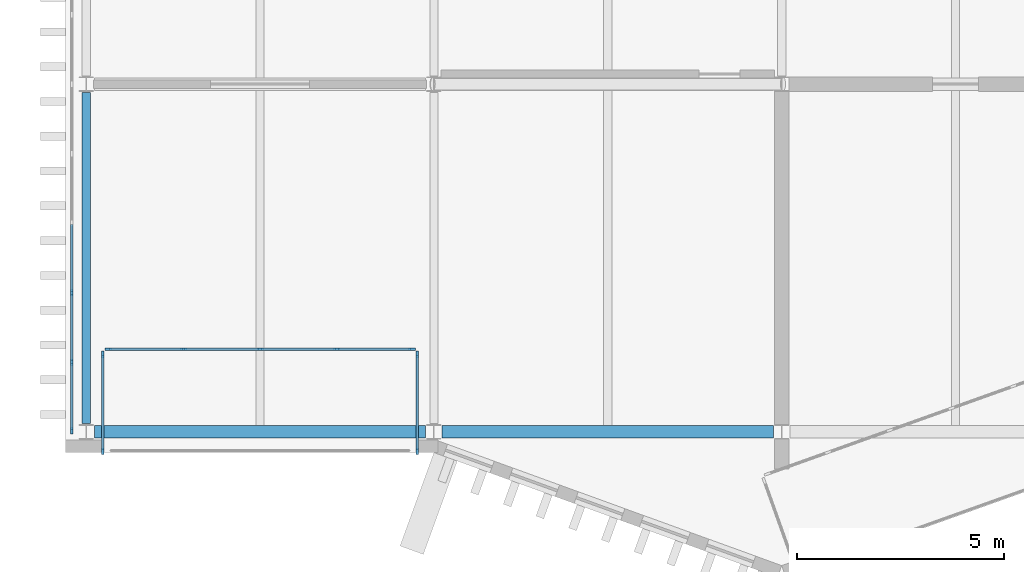
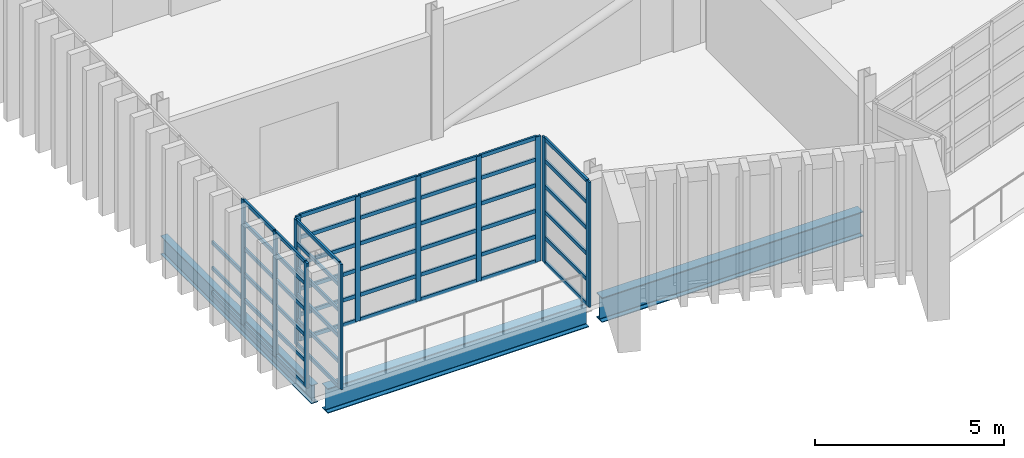
# One storey, part 13 of 96: 63 members, 3 beams, 4 elements without a shape of their own.
"""IFC4 building model written with IfcOpenShell, lengths in metres."""

from ifc_helpers import new_model, si_unit, direction, frame, origin, origin_2d, place, context, subcontext, project, spatial, rectangle, i_section, extrude, material, layer, layer_set, material_profile, profile_set, type_object, element, aggregate, save


model = new_model("IFC4")

# Units and contexts
model_context = context("Model", 3, precision=1e-05, world=origin(), true_north=direction((0.0, 1.0)))
body_context = subcontext(model_context, "Body", "Model", "MODEL_VIEW")
ifc_project = project(units=[si_unit("LENGTHUNIT", "METRE"), si_unit("AREAUNIT", "SQUARE_METRE"), si_unit("VOLUMEUNIT", "CUBIC_METRE"), si_unit("PLANEANGLEUNIT", "RADIAN"), si_unit("MASSUNIT", "GRAM", prefix="KILO")], contexts=[model_context])

# Site, building, storey
site_placement = place(None, origin())
site = spatial("IfcSite", under=ifc_project, at=site_placement, CompositionType="ELEMENT")
building_placement = place(site_placement, origin())
building = spatial("IfcBuilding", under=site, at=building_placement, Name="Cresset Court Congress Hotel", CompositionType="ELEMENT")
storey_placement = place(building_placement, frame((0.0, 0.0, 6.0)))
storey = spatial("IfcBuildingStorey", under=building, at=storey_placement, Name="L01", CompositionType="ELEMENT", Elevation=6.0)

# Curtain wall, members
ifc_material_1 = material(Name="Aluminium frame with double glazing", Category="aluminium")
ifc_layer = layer(ifc_material_1, 0.199951171875)
ifc_layer_set = layer_set([ifc_layer], Name="Glazed box curtain wall 1680 module")
curtain_wall_type = type_object("IfcCurtainWallType", Name="Glazed box curtain wall 1680 module", PredefinedType="NOTDEFINED", material=ifc_layer_set)
curtain_wall_1_placement = place(storey_placement, origin())
curtain_wall_1 = element("IfcCurtainWall", 1, at=curtain_wall_1_placement, inside=storey, type_object=curtain_wall_type, Name="Glazed box S0100 front", PredefinedType="NOTDEFINED")
ifc_material_2 = material(Name="Aluminium", Category="aluminium")
ifc_material_profile_1 = material_profile(ifc_material_2, rectangle(XDim=0.06005859375, YDim=0.159912109375, at=origin_2d()), Name="Box mullion 60x160")
ifc_profile_set_1 = profile_set([ifc_material_profile_1], Name="Aluminium")
member_type_1 = type_object("IfcMemberType", Name="Box mullion 60x160", PredefinedType="MULLION", material=ifc_profile_set_1)
member_1_placement = place(storey_placement, frame((8.929931640625, 2.0, 0.0), z_axis=(0.0, 0.0, 1.0), x_axis=(0.0, 1.0, 0.0)))
member_1 = element("IfcMember", 2, at=member_1_placement, type_object=member_type_1, Name="B-X1 mullion 1", PredefinedType="MULLION", context=body_context, shape_type="SweptSolid", body=[
    extrude(rectangle(XDim=0.06005859375, YDim=0.159912109375, at=origin_2d()), origin(), (0.0, 0.0, 1.0), 4.050048828125),
])
member_2_placement = place(storey_placement, frame((10.75, 2.0, 0.0), z_axis=(0.0, 0.0, 1.0), x_axis=(0.0, 1.0, 0.0)))
member_2 = element("IfcMember", 3, at=member_2_placement, type_object=member_type_1, Name="B-X1 mullion 2", PredefinedType="MULLION", context=body_context, shape_type="SweptSolid", body=[
    extrude(rectangle(XDim=0.06005859375, YDim=0.159912109375, at=origin_2d()), origin(), (0.0, 0.0, 1.0), 4.050048828125),
])
member_3_placement = place(storey_placement, frame((12.60009765625, 2.0, 0.0), z_axis=(0.0, 0.0, 1.0), x_axis=(0.0, 1.0, 0.0)))
member_3 = element("IfcMember", 4, at=member_3_placement, type_object=member_type_1, Name="B-X1 mullion 3", PredefinedType="MULLION", context=body_context, shape_type="SweptSolid", body=[
    extrude(rectangle(XDim=0.06005859375, YDim=0.159912109375, at=origin_2d()), origin(), (0.0, 0.0, 1.0), 4.050048828125),
])
member_4_placement = place(storey_placement, frame((14.449951171875, 2.0, 0.0), z_axis=(0.0, 0.0, 1.0), x_axis=(0.0, 1.0, 0.0)))
member_4 = element("IfcMember", 5, at=member_4_placement, type_object=member_type_1, Name="B-X1 mullion 4", PredefinedType="MULLION", context=body_context, shape_type="SweptSolid", body=[
    extrude(rectangle(XDim=0.06005859375, YDim=0.159912109375, at=origin_2d()), origin(), (0.0, 0.0, 1.0), 4.050048828125),
])
member_5_placement = place(storey_placement, frame((16.27001953125, 2.0, 0.0), z_axis=(0.0, 0.0, 1.0), x_axis=(0.0, 1.0, 0.0)))
member_5 = element("IfcMember", 6, at=member_5_placement, type_object=member_type_1, Name="B-X1 mullion 5", PredefinedType="MULLION", context=body_context, shape_type="SweptSolid", body=[
    extrude(rectangle(XDim=0.06005859375, YDim=0.159912109375, at=origin_2d()), origin(), (0.0, 0.0, 1.0), 4.050048828125),
])

curtain_wall_2_placement = place(storey_placement, origin())
curtain_wall_2 = element("IfcCurtainWall", 7, at=curtain_wall_2_placement, inside=storey, type_object=curtain_wall_type, Name="Glazed box S0100 side", PredefinedType="NOTDEFINED")
member_6_placement = place(storey_placement, frame((8.800048828125, -0.469970703125, 0.0), z_axis=(0.0, 0.0, 1.0), x_axis=(-1.0, 0.0, 0.0)))
member_6 = element("IfcMember", 8, at=member_6_placement, type_object=member_type_1, Name="B-X1 mullion 1", PredefinedType="MULLION", context=body_context, shape_type="SweptSolid", body=[
    extrude(rectangle(XDim=0.06005859375, YDim=0.159912109375, at=origin_2d()), origin(), (0.0, 0.0, 1.0), 4.050048828125),
])
member_7_placement = place(storey_placement, frame((8.800048828125, 1.8701171875, 0.0), z_axis=(0.0, 0.0, 1.0), x_axis=(-1.0, 0.0, 0.0)))
member_7 = element("IfcMember", 9, at=member_7_placement, type_object=member_type_1, Name="B-X1 mullion 2", PredefinedType="MULLION", context=body_context, shape_type="SweptSolid", body=[
    extrude(rectangle(XDim=0.06005859375, YDim=0.159912109375, at=origin_2d()), origin(), (0.0, 0.0, 1.0), 4.050048828125),
])

curtain_wall_3_placement = place(storey_placement, origin())
curtain_wall_3 = element("IfcCurtainWall", 10, at=curtain_wall_3_placement, inside=storey, type_object=curtain_wall_type, Name="Glazed box S0100 side", PredefinedType="NOTDEFINED")
member_8_placement = place(storey_placement, frame((16.39990234375, -0.469970703125, 0.0), z_axis=(0.0, 0.0, 1.0), x_axis=(-1.0, 0.0, 0.0)))
member_8 = element("IfcMember", 11, at=member_8_placement, type_object=member_type_1, Name="B-X1 mullion 1", PredefinedType="MULLION", context=body_context, shape_type="SweptSolid", body=[
    extrude(rectangle(XDim=0.06005859375, YDim=0.159912109375, at=origin_2d()), origin(), (0.0, 0.0, 1.0), 4.050048828125),
])
member_9_placement = place(storey_placement, frame((16.39990234375, 1.8701171875, 0.0), z_axis=(0.0, 0.0, 1.0), x_axis=(-1.0, 0.0, 0.0)))
member_9 = element("IfcMember", 12, at=member_9_placement, type_object=member_type_1, Name="B-X1 mullion 2", PredefinedType="MULLION", context=body_context, shape_type="SweptSolid", body=[
    extrude(rectangle(XDim=0.06005859375, YDim=0.159912109375, at=origin_2d()), origin(), (0.0, 0.0, 1.0), 4.050048828125),
])

curtain_wall_4_placement = place(storey_placement, origin())
curtain_wall_4 = element("IfcCurtainWall", 13, at=curtain_wall_4_placement, inside=storey, type_object=curtain_wall_type, Name="Foyer glazed front L01", PredefinedType="NOTDEFINED")
member_10_placement = place(storey_placement, frame((8.050048828125, 0.030029296875, 0.0), z_axis=(0.0, 0.0, 1.0), x_axis=(-1.0, 0.0, 0.0)))
member_10 = element("IfcMember", 14, at=member_10_placement, type_object=member_type_1, Name="B-X1 mullion 1", PredefinedType="MULLION", context=body_context, shape_type="SweptSolid", body=[
    extrude(rectangle(XDim=0.06005859375, YDim=0.159912109375, at=origin_2d()), origin(), (0.0, 0.0, 1.0), 4.050048828125),
])
member_11_placement = place(storey_placement, frame((8.050048828125, 1.679931640625, 0.0), z_axis=(0.0, 0.0, 1.0), x_axis=(-1.0, 0.0, 0.0)))
member_11 = element("IfcMember", 15, at=member_11_placement, type_object=member_type_1, Name="B-X1 mullion 2", PredefinedType="MULLION", context=body_context, shape_type="SweptSolid", body=[
    extrude(rectangle(XDim=0.06005859375, YDim=0.159912109375, at=origin_2d()), origin(), (0.0, 0.0, 1.0), 4.050048828125),
])
member_12_placement = place(storey_placement, frame((8.050048828125, 3.360107421875, 0.0), z_axis=(0.0, 0.0, 1.0), x_axis=(-1.0, 0.0, 0.0)))
member_12 = element("IfcMember", 16, at=member_12_placement, type_object=member_type_1, Name="B-X1 mullion 3", PredefinedType="MULLION", context=body_context, shape_type="SweptSolid", body=[
    extrude(rectangle(XDim=0.06005859375, YDim=0.159912109375, at=origin_2d()), origin(), (0.0, 0.0, 1.0), 4.050048828125),
])

# Member
ifc_material_3 = material(Name="Aluminium", Category="aluminium")
ifc_material_profile_2 = material_profile(ifc_material_3, rectangle(XDim=0.06005859375, YDim=0.1201171875, at=origin_2d()), Name="Box transom 60x120")
ifc_profile_set_2 = profile_set([ifc_material_profile_2], Name="Aluminium")
member_type_2 = type_object("IfcMemberType", Name="Box transom 60x120", PredefinedType="USERDEFINED", material=ifc_profile_set_2)
member_13_placement = place(storey_placement, frame((8.9599609375, 2.0, 0.030029296875), z_axis=(1.0, 0.0, 0.0), x_axis=(0.0, 1.0, 0.0)))
member_13 = element("IfcMember", 17, at=member_13_placement, type_object=member_type_2, Name="B-X1 transom 1.1", ObjectType="TRANSOM", PredefinedType="USERDEFINED", context=body_context, shape_type="SweptSolid", body=[
    extrude(rectangle(XDim=0.06005859375, YDim=0.1201171875, at=origin_2d()), origin(), (0.0, 0.0, 1.0), 1.760009765625),
])

member_14_placement = place(storey_placement, frame((8.9599609375, 2.0, 0.830078125), z_axis=(1.0, 0.0, 0.0), x_axis=(0.0, 1.0, 0.0)))
member_14 = element("IfcMember", 18, at=member_14_placement, type_object=member_type_2, Name="B-X1 transom 1.2", ObjectType="TRANSOM", PredefinedType="USERDEFINED", context=body_context, shape_type="SweptSolid", body=[
    extrude(rectangle(XDim=0.06005859375, YDim=0.1201171875, at=origin_2d()), origin(), (0.0, 0.0, 1.0), 1.760009765625),
])

member_15_placement = place(storey_placement, frame((8.9599609375, 2.0, 1.659912109375), z_axis=(1.0, 0.0, 0.0), x_axis=(0.0, 1.0, 0.0)))
member_15 = element("IfcMember", 19, at=member_15_placement, type_object=member_type_2, Name="B-X1 transom 1.3", ObjectType="TRANSOM", PredefinedType="USERDEFINED", context=body_context, shape_type="SweptSolid", body=[
    extrude(rectangle(XDim=0.06005859375, YDim=0.1201171875, at=origin_2d()), origin(), (0.0, 0.0, 1.0), 1.760009765625),
])

member_16_placement = place(storey_placement, frame((8.9599609375, 2.0, 2.489990234375), z_axis=(1.0, 0.0, 0.0), x_axis=(0.0, 1.0, 0.0)))
member_16 = element("IfcMember", 20, at=member_16_placement, type_object=member_type_2, Name="B-X1 transom 1.4", ObjectType="TRANSOM", PredefinedType="USERDEFINED", context=body_context, shape_type="SweptSolid", body=[
    extrude(rectangle(XDim=0.06005859375, YDim=0.1201171875, at=origin_2d()), origin(), (0.0, 0.0, 1.0), 1.760009765625),
])

member_17_placement = place(storey_placement, frame((8.9599609375, 2.0, 3.320068359375), z_axis=(1.0, 0.0, 0.0), x_axis=(0.0, 1.0, 0.0)))
member_17 = element("IfcMember", 21, at=member_17_placement, type_object=member_type_2, Name="B-X1 transom 1.5", ObjectType="TRANSOM", PredefinedType="USERDEFINED", context=body_context, shape_type="SweptSolid", body=[
    extrude(rectangle(XDim=0.06005859375, YDim=0.1201171875, at=origin_2d()), origin(), (0.0, 0.0, 1.0), 1.760009765625),
])

member_18_placement = place(storey_placement, frame((8.9599609375, 2.0, 4.02001953125), z_axis=(1.0, 0.0, 0.0), x_axis=(0.0, 1.0, 0.0)))
member_18 = element("IfcMember", 22, at=member_18_placement, type_object=member_type_2, Name="B-X1 transom 1.6", ObjectType="TRANSOM", PredefinedType="USERDEFINED", context=body_context, shape_type="SweptSolid", body=[
    extrude(rectangle(XDim=0.06005859375, YDim=0.1201171875, at=origin_2d()), origin(), (0.0, 0.0, 1.0), 1.760009765625),
])

member_19_placement = place(storey_placement, frame((10.780029296875, 2.0, 0.030029296875), z_axis=(1.0, 0.0, 0.0), x_axis=(0.0, 1.0, 0.0)))
member_19 = element("IfcMember", 23, at=member_19_placement, type_object=member_type_2, Name="B-X1 transom 2.1", ObjectType="TRANSOM", PredefinedType="USERDEFINED", context=body_context, shape_type="SweptSolid", body=[
    extrude(rectangle(XDim=0.06005859375, YDim=0.1201171875, at=origin_2d()), origin(), (0.0, 0.0, 1.0), 1.7900390625),
])

member_20_placement = place(storey_placement, frame((10.780029296875, 2.0, 0.830078125), z_axis=(1.0, 0.0, 0.0), x_axis=(0.0, 1.0, 0.0)))
member_20 = element("IfcMember", 24, at=member_20_placement, type_object=member_type_2, Name="B-X1 transom 2.2", ObjectType="TRANSOM", PredefinedType="USERDEFINED", context=body_context, shape_type="SweptSolid", body=[
    extrude(rectangle(XDim=0.06005859375, YDim=0.1201171875, at=origin_2d()), origin(), (0.0, 0.0, 1.0), 1.7900390625),
])

member_21_placement = place(storey_placement, frame((10.780029296875, 2.0, 1.659912109375), z_axis=(1.0, 0.0, 0.0), x_axis=(0.0, 1.0, 0.0)))
member_21 = element("IfcMember", 25, at=member_21_placement, type_object=member_type_2, Name="B-X1 transom 2.3", ObjectType="TRANSOM", PredefinedType="USERDEFINED", context=body_context, shape_type="SweptSolid", body=[
    extrude(rectangle(XDim=0.06005859375, YDim=0.1201171875, at=origin_2d()), origin(), (0.0, 0.0, 1.0), 1.7900390625),
])

member_22_placement = place(storey_placement, frame((10.780029296875, 2.0, 2.489990234375), z_axis=(1.0, 0.0, 0.0), x_axis=(0.0, 1.0, 0.0)))
member_22 = element("IfcMember", 26, at=member_22_placement, type_object=member_type_2, Name="B-X1 transom 2.4", ObjectType="TRANSOM", PredefinedType="USERDEFINED", context=body_context, shape_type="SweptSolid", body=[
    extrude(rectangle(XDim=0.06005859375, YDim=0.1201171875, at=origin_2d()), origin(), (0.0, 0.0, 1.0), 1.7900390625),
])

member_23_placement = place(storey_placement, frame((10.780029296875, 2.0, 3.320068359375), z_axis=(1.0, 0.0, 0.0), x_axis=(0.0, 1.0, 0.0)))
member_23 = element("IfcMember", 27, at=member_23_placement, type_object=member_type_2, Name="B-X1 transom 2.5", ObjectType="TRANSOM", PredefinedType="USERDEFINED", context=body_context, shape_type="SweptSolid", body=[
    extrude(rectangle(XDim=0.06005859375, YDim=0.1201171875, at=origin_2d()), origin(), (0.0, 0.0, 1.0), 1.7900390625),
])

member_24_placement = place(storey_placement, frame((10.780029296875, 2.0, 4.02001953125), z_axis=(1.0, 0.0, 0.0), x_axis=(0.0, 1.0, 0.0)))
member_24 = element("IfcMember", 28, at=member_24_placement, type_object=member_type_2, Name="B-X1 transom 2.6", ObjectType="TRANSOM", PredefinedType="USERDEFINED", context=body_context, shape_type="SweptSolid", body=[
    extrude(rectangle(XDim=0.06005859375, YDim=0.1201171875, at=origin_2d()), origin(), (0.0, 0.0, 1.0), 1.7900390625),
])

member_25_placement = place(storey_placement, frame((12.6298828125, 2.0, 0.030029296875), z_axis=(1.0, 0.0, 0.0), x_axis=(0.0, 1.0, 0.0)))
member_25 = element("IfcMember", 29, at=member_25_placement, type_object=member_type_2, Name="B-X1 transom 3.1", ObjectType="TRANSOM", PredefinedType="USERDEFINED", context=body_context, shape_type="SweptSolid", body=[
    extrude(rectangle(XDim=0.06005859375, YDim=0.1201171875, at=origin_2d()), origin(), (0.0, 0.0, 1.0), 1.7900390625),
])

member_26_placement = place(storey_placement, frame((12.6298828125, 2.0, 0.830078125), z_axis=(1.0, 0.0, 0.0), x_axis=(0.0, 1.0, 0.0)))
member_26 = element("IfcMember", 30, at=member_26_placement, type_object=member_type_2, Name="B-X1 transom 3.2", ObjectType="TRANSOM", PredefinedType="USERDEFINED", context=body_context, shape_type="SweptSolid", body=[
    extrude(rectangle(XDim=0.06005859375, YDim=0.1201171875, at=origin_2d()), origin(), (0.0, 0.0, 1.0), 1.7900390625),
])

member_27_placement = place(storey_placement, frame((12.6298828125, 2.0, 1.659912109375), z_axis=(1.0, 0.0, 0.0), x_axis=(0.0, 1.0, 0.0)))
member_27 = element("IfcMember", 31, at=member_27_placement, type_object=member_type_2, Name="B-X1 transom 3.3", ObjectType="TRANSOM", PredefinedType="USERDEFINED", context=body_context, shape_type="SweptSolid", body=[
    extrude(rectangle(XDim=0.06005859375, YDim=0.1201171875, at=origin_2d()), origin(), (0.0, 0.0, 1.0), 1.7900390625),
])

member_28_placement = place(storey_placement, frame((12.6298828125, 2.0, 2.489990234375), z_axis=(1.0, 0.0, 0.0), x_axis=(0.0, 1.0, 0.0)))
member_28 = element("IfcMember", 32, at=member_28_placement, type_object=member_type_2, Name="B-X1 transom 3.4", ObjectType="TRANSOM", PredefinedType="USERDEFINED", context=body_context, shape_type="SweptSolid", body=[
    extrude(rectangle(XDim=0.06005859375, YDim=0.1201171875, at=origin_2d()), origin(), (0.0, 0.0, 1.0), 1.7900390625),
])

member_29_placement = place(storey_placement, frame((12.6298828125, 2.0, 3.320068359375), z_axis=(1.0, 0.0, 0.0), x_axis=(0.0, 1.0, 0.0)))
member_29 = element("IfcMember", 33, at=member_29_placement, type_object=member_type_2, Name="B-X1 transom 3.5", ObjectType="TRANSOM", PredefinedType="USERDEFINED", context=body_context, shape_type="SweptSolid", body=[
    extrude(rectangle(XDim=0.06005859375, YDim=0.1201171875, at=origin_2d()), origin(), (0.0, 0.0, 1.0), 1.7900390625),
])

member_30_placement = place(storey_placement, frame((12.6298828125, 2.0, 4.02001953125), z_axis=(1.0, 0.0, 0.0), x_axis=(0.0, 1.0, 0.0)))
member_30 = element("IfcMember", 34, at=member_30_placement, type_object=member_type_2, Name="B-X1 transom 3.6", ObjectType="TRANSOM", PredefinedType="USERDEFINED", context=body_context, shape_type="SweptSolid", body=[
    extrude(rectangle(XDim=0.06005859375, YDim=0.1201171875, at=origin_2d()), origin(), (0.0, 0.0, 1.0), 1.7900390625),
])

member_31_placement = place(storey_placement, frame((14.47998046875, 2.0, 0.030029296875), z_axis=(1.0, 0.0, 0.0), x_axis=(0.0, 1.0, 0.0)))
member_31 = element("IfcMember", 35, at=member_31_placement, type_object=member_type_2, Name="B-X1 transom 4.1", ObjectType="TRANSOM", PredefinedType="USERDEFINED", context=body_context, shape_type="SweptSolid", body=[
    extrude(rectangle(XDim=0.06005859375, YDim=0.1201171875, at=origin_2d()), origin(), (0.0, 0.0, 1.0), 1.760009765625),
])

member_32_placement = place(storey_placement, frame((14.47998046875, 2.0, 0.830078125), z_axis=(1.0, 0.0, 0.0), x_axis=(0.0, 1.0, 0.0)))
member_32 = element("IfcMember", 36, at=member_32_placement, type_object=member_type_2, Name="B-X1 transom 4.2", ObjectType="TRANSOM", PredefinedType="USERDEFINED", context=body_context, shape_type="SweptSolid", body=[
    extrude(rectangle(XDim=0.06005859375, YDim=0.1201171875, at=origin_2d()), origin(), (0.0, 0.0, 1.0), 1.760009765625),
])

member_33_placement = place(storey_placement, frame((14.47998046875, 2.0, 1.659912109375), z_axis=(1.0, 0.0, 0.0), x_axis=(0.0, 1.0, 0.0)))
member_33 = element("IfcMember", 37, at=member_33_placement, type_object=member_type_2, Name="B-X1 transom 4.3", ObjectType="TRANSOM", PredefinedType="USERDEFINED", context=body_context, shape_type="SweptSolid", body=[
    extrude(rectangle(XDim=0.06005859375, YDim=0.1201171875, at=origin_2d()), origin(), (0.0, 0.0, 1.0), 1.760009765625),
])

member_34_placement = place(storey_placement, frame((14.47998046875, 2.0, 2.489990234375), z_axis=(1.0, 0.0, 0.0), x_axis=(0.0, 1.0, 0.0)))
member_34 = element("IfcMember", 38, at=member_34_placement, type_object=member_type_2, Name="B-X1 transom 4.4", ObjectType="TRANSOM", PredefinedType="USERDEFINED", context=body_context, shape_type="SweptSolid", body=[
    extrude(rectangle(XDim=0.06005859375, YDim=0.1201171875, at=origin_2d()), origin(), (0.0, 0.0, 1.0), 1.760009765625),
])

member_35_placement = place(storey_placement, frame((14.47998046875, 2.0, 3.320068359375), z_axis=(1.0, 0.0, 0.0), x_axis=(0.0, 1.0, 0.0)))
member_35 = element("IfcMember", 39, at=member_35_placement, type_object=member_type_2, Name="B-X1 transom 4.5", ObjectType="TRANSOM", PredefinedType="USERDEFINED", context=body_context, shape_type="SweptSolid", body=[
    extrude(rectangle(XDim=0.06005859375, YDim=0.1201171875, at=origin_2d()), origin(), (0.0, 0.0, 1.0), 1.760009765625),
])

member_36_placement = place(storey_placement, frame((14.47998046875, 2.0, 4.02001953125), z_axis=(1.0, 0.0, 0.0), x_axis=(0.0, 1.0, 0.0)))
member_36 = element("IfcMember", 40, at=member_36_placement, type_object=member_type_2, Name="B-X1 transom 4.6", ObjectType="TRANSOM", PredefinedType="USERDEFINED", context=body_context, shape_type="SweptSolid", body=[
    extrude(rectangle(XDim=0.06005859375, YDim=0.1201171875, at=origin_2d()), origin(), (0.0, 0.0, 1.0), 1.760009765625),
])

aggregate(curtain_wall_1, [member_1, member_2, member_3, member_4, member_5, member_13, member_14, member_15, member_16, member_17, member_18, member_19, member_20, member_21, member_22, member_23, member_24, member_25, member_26, member_27, member_28, member_29, member_30, member_31, member_32, member_33, member_34, member_35, member_36])

member_37_placement = place(storey_placement, frame((8.800048828125, -0.43994140625, 0.030029296875), z_axis=(0.0, 1.0, 0.0), x_axis=(-1.0, 0.0, 0.0)))
member_37 = element("IfcMember", 41, at=member_37_placement, type_object=member_type_2, Name="B-X1 transom 1.1", ObjectType="TRANSOM", PredefinedType="USERDEFINED", context=body_context, shape_type="SweptSolid", body=[
    extrude(rectangle(XDim=0.06005859375, YDim=0.1201171875, at=origin_2d()), origin(), (0.0, 0.0, 1.0), 2.280029296875),
])

member_38_placement = place(storey_placement, frame((8.800048828125, -0.43994140625, 0.830078125), z_axis=(0.0, 1.0, 0.0), x_axis=(-1.0, 0.0, 0.0)))
member_38 = element("IfcMember", 42, at=member_38_placement, type_object=member_type_2, Name="B-X1 transom 1.2", ObjectType="TRANSOM", PredefinedType="USERDEFINED", context=body_context, shape_type="SweptSolid", body=[
    extrude(rectangle(XDim=0.06005859375, YDim=0.1201171875, at=origin_2d()), origin(), (0.0, 0.0, 1.0), 2.280029296875),
])

member_39_placement = place(storey_placement, frame((8.800048828125, -0.43994140625, 1.659912109375), z_axis=(0.0, 1.0, 0.0), x_axis=(-1.0, 0.0, 0.0)))
member_39 = element("IfcMember", 43, at=member_39_placement, type_object=member_type_2, Name="B-X1 transom 1.3", ObjectType="TRANSOM", PredefinedType="USERDEFINED", context=body_context, shape_type="SweptSolid", body=[
    extrude(rectangle(XDim=0.06005859375, YDim=0.1201171875, at=origin_2d()), origin(), (0.0, 0.0, 1.0), 2.280029296875),
])

member_40_placement = place(storey_placement, frame((8.800048828125, -0.43994140625, 2.489990234375), z_axis=(0.0, 1.0, 0.0), x_axis=(-1.0, 0.0, 0.0)))
member_40 = element("IfcMember", 44, at=member_40_placement, type_object=member_type_2, Name="B-X1 transom 1.4", ObjectType="TRANSOM", PredefinedType="USERDEFINED", context=body_context, shape_type="SweptSolid", body=[
    extrude(rectangle(XDim=0.06005859375, YDim=0.1201171875, at=origin_2d()), origin(), (0.0, 0.0, 1.0), 2.280029296875),
])

member_41_placement = place(storey_placement, frame((8.800048828125, -0.43994140625, 3.320068359375), z_axis=(0.0, 1.0, 0.0), x_axis=(-1.0, 0.0, 0.0)))
member_41 = element("IfcMember", 45, at=member_41_placement, type_object=member_type_2, Name="B-X1 transom 1.5", ObjectType="TRANSOM", PredefinedType="USERDEFINED", context=body_context, shape_type="SweptSolid", body=[
    extrude(rectangle(XDim=0.06005859375, YDim=0.1201171875, at=origin_2d()), origin(), (0.0, 0.0, 1.0), 2.280029296875),
])

member_42_placement = place(storey_placement, frame((8.800048828125, -0.43994140625, 4.02001953125), z_axis=(0.0, 1.0, 0.0), x_axis=(-1.0, 0.0, 0.0)))
member_42 = element("IfcMember", 46, at=member_42_placement, type_object=member_type_2, Name="B-X1 transom 1.6", ObjectType="TRANSOM", PredefinedType="USERDEFINED", context=body_context, shape_type="SweptSolid", body=[
    extrude(rectangle(XDim=0.06005859375, YDim=0.1201171875, at=origin_2d()), origin(), (0.0, 0.0, 1.0), 2.280029296875),
])

aggregate(curtain_wall_2, [member_6, member_7, member_37, member_38, member_39, member_40, member_41, member_42])

member_43_placement = place(storey_placement, frame((16.39990234375, -0.43994140625, 0.030029296875), z_axis=(0.0, 1.0, 0.0), x_axis=(-1.0, 0.0, 0.0)))
member_43 = element("IfcMember", 47, at=member_43_placement, type_object=member_type_2, Name="B-X1 transom 1.1", ObjectType="TRANSOM", PredefinedType="USERDEFINED", context=body_context, shape_type="SweptSolid", body=[
    extrude(rectangle(XDim=0.06005859375, YDim=0.1201171875, at=origin_2d()), origin(), (0.0, 0.0, 1.0), 2.280029296875),
])

member_44_placement = place(storey_placement, frame((16.39990234375, -0.43994140625, 0.830078125), z_axis=(0.0, 1.0, 0.0), x_axis=(-1.0, 0.0, 0.0)))
member_44 = element("IfcMember", 48, at=member_44_placement, type_object=member_type_2, Name="B-X1 transom 1.2", ObjectType="TRANSOM", PredefinedType="USERDEFINED", context=body_context, shape_type="SweptSolid", body=[
    extrude(rectangle(XDim=0.06005859375, YDim=0.1201171875, at=origin_2d()), origin(), (0.0, 0.0, 1.0), 2.280029296875),
])

member_45_placement = place(storey_placement, frame((16.39990234375, -0.43994140625, 1.659912109375), z_axis=(0.0, 1.0, 0.0), x_axis=(-1.0, 0.0, 0.0)))
member_45 = element("IfcMember", 49, at=member_45_placement, type_object=member_type_2, Name="B-X1 transom 1.3", ObjectType="TRANSOM", PredefinedType="USERDEFINED", context=body_context, shape_type="SweptSolid", body=[
    extrude(rectangle(XDim=0.06005859375, YDim=0.1201171875, at=origin_2d()), origin(), (0.0, 0.0, 1.0), 2.280029296875),
])

member_46_placement = place(storey_placement, frame((16.39990234375, -0.43994140625, 2.489990234375), z_axis=(0.0, 1.0, 0.0), x_axis=(-1.0, 0.0, 0.0)))
member_46 = element("IfcMember", 50, at=member_46_placement, type_object=member_type_2, Name="B-X1 transom 1.4", ObjectType="TRANSOM", PredefinedType="USERDEFINED", context=body_context, shape_type="SweptSolid", body=[
    extrude(rectangle(XDim=0.06005859375, YDim=0.1201171875, at=origin_2d()), origin(), (0.0, 0.0, 1.0), 2.280029296875),
])

member_47_placement = place(storey_placement, frame((16.39990234375, -0.43994140625, 3.320068359375), z_axis=(0.0, 1.0, 0.0), x_axis=(-1.0, 0.0, 0.0)))
member_47 = element("IfcMember", 51, at=member_47_placement, type_object=member_type_2, Name="B-X1 transom 1.5", ObjectType="TRANSOM", PredefinedType="USERDEFINED", context=body_context, shape_type="SweptSolid", body=[
    extrude(rectangle(XDim=0.06005859375, YDim=0.1201171875, at=origin_2d()), origin(), (0.0, 0.0, 1.0), 2.280029296875),
])

member_48_placement = place(storey_placement, frame((16.39990234375, -0.43994140625, 4.02001953125), z_axis=(0.0, 1.0, 0.0), x_axis=(-1.0, 0.0, 0.0)))
member_48 = element("IfcMember", 52, at=member_48_placement, type_object=member_type_2, Name="B-X1 transom 1.6", ObjectType="TRANSOM", PredefinedType="USERDEFINED", context=body_context, shape_type="SweptSolid", body=[
    extrude(rectangle(XDim=0.06005859375, YDim=0.1201171875, at=origin_2d()), origin(), (0.0, 0.0, 1.0), 2.280029296875),
])

aggregate(curtain_wall_3, [member_8, member_9, member_43, member_44, member_45, member_46, member_47, member_48])

member_49_placement = place(storey_placement, frame((8.050048828125, 0.06005859375, 0.030029296875), z_axis=(0.0, 1.0, 0.0), x_axis=(-1.0, 0.0, 0.0)))
member_49 = element("IfcMember", 53, at=member_49_placement, type_object=member_type_2, Name="B-X1 transom 1.1", ObjectType="TRANSOM", PredefinedType="USERDEFINED", context=body_context, shape_type="SweptSolid", body=[
    extrude(rectangle(XDim=0.06005859375, YDim=0.1201171875, at=origin_2d()), origin(), (0.0, 0.0, 1.0), 1.58984375),
])

member_50_placement = place(storey_placement, frame((8.050048828125, 0.06005859375, 0.830078125), z_axis=(0.0, 1.0, 0.0), x_axis=(-1.0, 0.0, 0.0)))
member_50 = element("IfcMember", 54, at=member_50_placement, type_object=member_type_2, Name="B-X1 transom 1.2", ObjectType="TRANSOM", PredefinedType="USERDEFINED", context=body_context, shape_type="SweptSolid", body=[
    extrude(rectangle(XDim=0.06005859375, YDim=0.1201171875, at=origin_2d()), origin(), (0.0, 0.0, 1.0), 1.58984375),
])

member_51_placement = place(storey_placement, frame((8.050048828125, 0.06005859375, 1.659912109375), z_axis=(0.0, 1.0, 0.0), x_axis=(-1.0, 0.0, 0.0)))
member_51 = element("IfcMember", 55, at=member_51_placement, type_object=member_type_2, Name="B-X1 transom 1.3", ObjectType="TRANSOM", PredefinedType="USERDEFINED", context=body_context, shape_type="SweptSolid", body=[
    extrude(rectangle(XDim=0.06005859375, YDim=0.1201171875, at=origin_2d()), origin(), (0.0, 0.0, 1.0), 1.58984375),
])

member_52_placement = place(storey_placement, frame((8.050048828125, 0.06005859375, 2.489990234375), z_axis=(0.0, 1.0, 0.0), x_axis=(-1.0, 0.0, 0.0)))
member_52 = element("IfcMember", 56, at=member_52_placement, type_object=member_type_2, Name="B-X1 transom 1.4", ObjectType="TRANSOM", PredefinedType="USERDEFINED", context=body_context, shape_type="SweptSolid", body=[
    extrude(rectangle(XDim=0.06005859375, YDim=0.1201171875, at=origin_2d()), origin(), (0.0, 0.0, 1.0), 1.58984375),
])

member_53_placement = place(storey_placement, frame((8.050048828125, 0.06005859375, 3.320068359375), z_axis=(0.0, 1.0, 0.0), x_axis=(-1.0, 0.0, 0.0)))
member_53 = element("IfcMember", 57, at=member_53_placement, type_object=member_type_2, Name="B-X1 transom 1.5", ObjectType="TRANSOM", PredefinedType="USERDEFINED", context=body_context, shape_type="SweptSolid", body=[
    extrude(rectangle(XDim=0.06005859375, YDim=0.1201171875, at=origin_2d()), origin(), (0.0, 0.0, 1.0), 1.58984375),
])

member_54_placement = place(storey_placement, frame((8.050048828125, 0.06005859375, 4.02001953125), z_axis=(0.0, 1.0, 0.0), x_axis=(-1.0, 0.0, 0.0)))
member_54 = element("IfcMember", 58, at=member_54_placement, type_object=member_type_2, Name="B-X1 transom 1.6", ObjectType="TRANSOM", PredefinedType="USERDEFINED", context=body_context, shape_type="SweptSolid", body=[
    extrude(rectangle(XDim=0.06005859375, YDim=0.1201171875, at=origin_2d()), origin(), (0.0, 0.0, 1.0), 1.58984375),
])

member_55_placement = place(storey_placement, frame((8.050048828125, 1.7099609375, 0.030029296875), z_axis=(0.0, 1.0, 0.0), x_axis=(-1.0, 0.0, 0.0)))
member_55 = element("IfcMember", 59, at=member_55_placement, type_object=member_type_2, Name="B-X1 transom 2.1", ObjectType="TRANSOM", PredefinedType="USERDEFINED", context=body_context, shape_type="SweptSolid", body=[
    extrude(rectangle(XDim=0.06005859375, YDim=0.1201171875, at=origin_2d()), origin(), (0.0, 0.0, 1.0), 1.6201171875),
])

member_56_placement = place(storey_placement, frame((8.050048828125, 1.7099609375, 0.830078125), z_axis=(0.0, 1.0, 0.0), x_axis=(-1.0, 0.0, 0.0)))
member_56 = element("IfcMember", 60, at=member_56_placement, type_object=member_type_2, Name="B-X1 transom 2.2", ObjectType="TRANSOM", PredefinedType="USERDEFINED", context=body_context, shape_type="SweptSolid", body=[
    extrude(rectangle(XDim=0.06005859375, YDim=0.1201171875, at=origin_2d()), origin(), (0.0, 0.0, 1.0), 1.6201171875),
])

member_57_placement = place(storey_placement, frame((8.050048828125, 1.7099609375, 1.659912109375), z_axis=(0.0, 1.0, 0.0), x_axis=(-1.0, 0.0, 0.0)))
member_57 = element("IfcMember", 61, at=member_57_placement, type_object=member_type_2, Name="B-X1 transom 2.3", ObjectType="TRANSOM", PredefinedType="USERDEFINED", context=body_context, shape_type="SweptSolid", body=[
    extrude(rectangle(XDim=0.06005859375, YDim=0.1201171875, at=origin_2d()), origin(), (0.0, 0.0, 1.0), 1.6201171875),
])

member_58_placement = place(storey_placement, frame((8.050048828125, 1.7099609375, 2.489990234375), z_axis=(0.0, 1.0, 0.0), x_axis=(-1.0, 0.0, 0.0)))
member_58 = element("IfcMember", 62, at=member_58_placement, type_object=member_type_2, Name="B-X1 transom 2.4", ObjectType="TRANSOM", PredefinedType="USERDEFINED", context=body_context, shape_type="SweptSolid", body=[
    extrude(rectangle(XDim=0.06005859375, YDim=0.1201171875, at=origin_2d()), origin(), (0.0, 0.0, 1.0), 1.6201171875),
])

member_59_placement = place(storey_placement, frame((8.050048828125, 1.7099609375, 3.320068359375), z_axis=(0.0, 1.0, 0.0), x_axis=(-1.0, 0.0, 0.0)))
member_59 = element("IfcMember", 63, at=member_59_placement, type_object=member_type_2, Name="B-X1 transom 2.5", ObjectType="TRANSOM", PredefinedType="USERDEFINED", context=body_context, shape_type="SweptSolid", body=[
    extrude(rectangle(XDim=0.06005859375, YDim=0.1201171875, at=origin_2d()), origin(), (0.0, 0.0, 1.0), 1.6201171875),
])

member_60_placement = place(storey_placement, frame((8.050048828125, 1.7099609375, 4.02001953125), z_axis=(0.0, 1.0, 0.0), x_axis=(-1.0, 0.0, 0.0)))
member_60 = element("IfcMember", 64, at=member_60_placement, type_object=member_type_2, Name="B-X1 transom 2.6", ObjectType="TRANSOM", PredefinedType="USERDEFINED", context=body_context, shape_type="SweptSolid", body=[
    extrude(rectangle(XDim=0.06005859375, YDim=0.1201171875, at=origin_2d()), origin(), (0.0, 0.0, 1.0), 1.6201171875),
])

member_61_placement = place(storey_placement, frame((8.050048828125, 3.389892578125, 0.030029296875), z_axis=(0.0, 1.0, 0.0), x_axis=(-1.0, 0.0, 0.0)))
member_61 = element("IfcMember", 65, at=member_61_placement, type_object=member_type_2, Name="B-X1 transom 3.1", ObjectType="TRANSOM", PredefinedType="USERDEFINED", context=body_context, shape_type="SweptSolid", body=[
    extrude(rectangle(XDim=0.06005859375, YDim=0.1201171875, at=origin_2d()), origin(), (0.0, 0.0, 1.0), 1.6201171875),
])

member_62_placement = place(storey_placement, frame((8.050048828125, 3.389892578125, 0.830078125), z_axis=(0.0, 1.0, 0.0), x_axis=(-1.0, 0.0, 0.0)))
member_62 = element("IfcMember", 66, at=member_62_placement, type_object=member_type_2, Name="B-X1 transom 3.2", ObjectType="TRANSOM", PredefinedType="USERDEFINED", context=body_context, shape_type="SweptSolid", body=[
    extrude(rectangle(XDim=0.06005859375, YDim=0.1201171875, at=origin_2d()), origin(), (0.0, 0.0, 1.0), 1.6201171875),
])

member_63_placement = place(storey_placement, frame((8.050048828125, 3.389892578125, 1.659912109375), z_axis=(0.0, 1.0, 0.0), x_axis=(-1.0, 0.0, 0.0)))
member_63 = element("IfcMember", 67, at=member_63_placement, type_object=member_type_2, Name="B-X1 transom 3.3", ObjectType="TRANSOM", PredefinedType="USERDEFINED", context=body_context, shape_type="SweptSolid", body=[
    extrude(rectangle(XDim=0.06005859375, YDim=0.1201171875, at=origin_2d()), origin(), (0.0, 0.0, 1.0), 1.6201171875),
])

aggregate(curtain_wall_4, [member_10, member_11, member_12, member_49, member_50, member_51, member_52, member_53, member_54, member_55, member_56, member_57, member_58, member_59, member_60, member_61, member_62, member_63])

# Beams
ifc_material_4 = material(Name="Structural steel Q355B", Category="steel")
ifc_material_profile_3 = material_profile(ifc_material_4, i_section(OverallWidth=0.199951171875, OverallDepth=0.60009765625, WebThickness=0.010986328125, FlangeThickness=0.01708984375, FilletRadius=0.012939453125, at=origin_2d()), Name="HN600x200x11x17")
ifc_profile_set_3 = profile_set([ifc_material_profile_3], Name="Structural steel Q355B")
beam_type_1 = type_object("IfcBeamType", Name="Steel beam HN600x200x11x17", PredefinedType="BEAM", material=ifc_profile_set_3)
beam_placement = place(storey_placement, frame((8.39990234375, 0.199951171875, -0.449951171875), z_axis=(0.0, 1.0, 0.0), x_axis=(-1.0, 0.0, 0.0)))
element("IfcBeam", 68, at=beam_placement, inside=storey, type_object=beam_type_1, Name="B.by.L01.02A", PredefinedType="BEAM", context=body_context, shape_type="SweptSolid", body=[
    extrude(i_section(OverallWidth=0.199951171875, OverallDepth=0.60009765625, WebThickness=0.010986328125, FlangeThickness=0.01708984375, FilletRadius=0.012939453125, at=origin_2d()), origin(), (0.0, 0.0, 1.0), 8.0),
])
ifc_material_5 = material(Name="Structural steel Q355B", Category="steel")
ifc_material_profile_4 = material_profile(ifc_material_5, i_section(OverallWidth=0.300048828125, OverallDepth=0.800048828125, WebThickness=0.013916015625, FlangeThickness=0.02587890625, FilletRadius=0.01806640625, at=origin_2d()), Name="HN800x300x14x26")
ifc_profile_set_4 = profile_set([ifc_material_profile_4], Name="Structural steel Q355B")
beam_type_2 = type_object("IfcBeamType", Name="Steel beam HN800x300x14x26", PredefinedType="BEAM", material=ifc_profile_set_4)
for number, where, z_axis, x_axis, name in (
    (69, (8.60009765625, 0.0, -0.550048828125), (1.0, 0.0, 0.0), (0.0, 1.0, 0.0), "B.bx.L01.A02"),
    (70, (17.0, 0.0, -0.550048828125), (1.0, 0.0, 0.0), (0.0, 1.0, 0.0), "B.bx.L01.A03"),
):
    element("IfcBeam", number, at=place(storey_placement, frame(where, z_axis=z_axis, x_axis=x_axis)), inside=storey, type_object=beam_type_2, Name=name, PredefinedType="BEAM", context=body_context, shape_type="SweptSolid", body=[
        extrude(i_section(OverallWidth=0.300048828125, OverallDepth=0.800048828125, WebThickness=0.013916015625, FlangeThickness=0.02587890625, FilletRadius=0.01806640625, at=origin_2d()), origin(), (0.0, 0.0, 1.0), 8.0),
    ])

save(model, "model.ifc")
